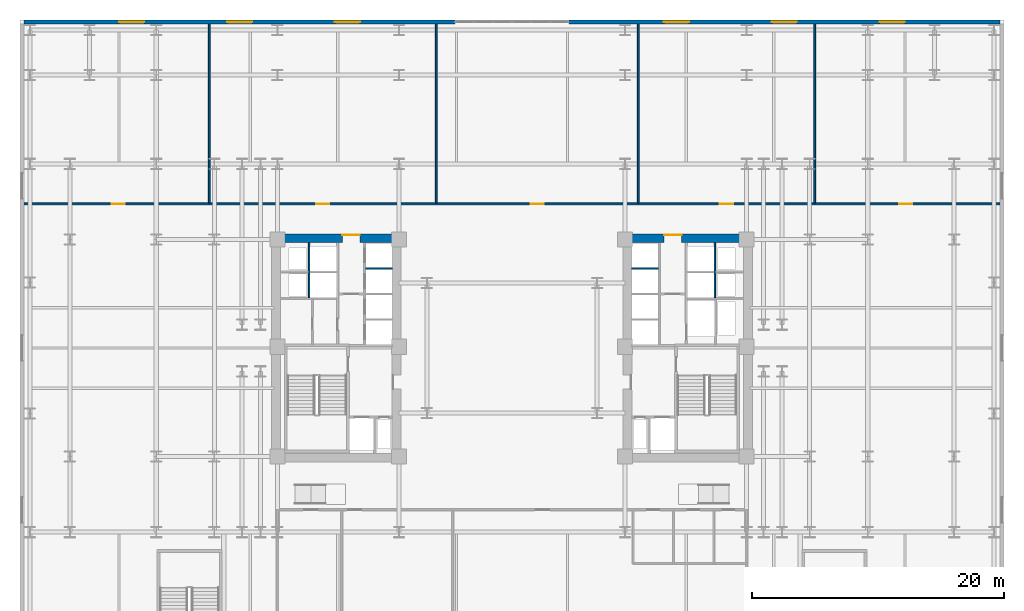
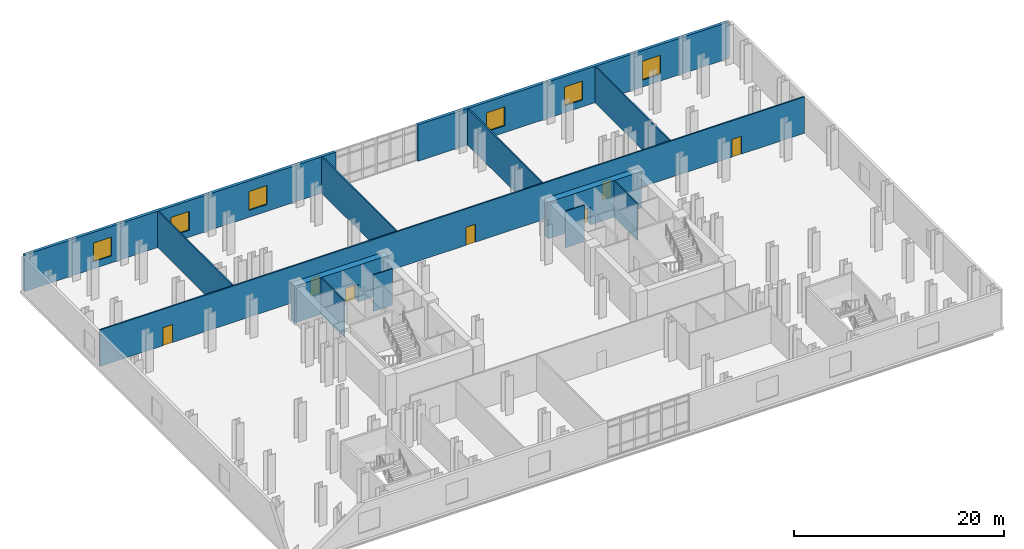
# One storey, part 10 of 13: 13 walls, 7 doors, 6 windows, 13 openings.
"""IFC4 building model written with IfcOpenShell, lengths in metres."""

import ifcopenshell
import ifcopenshell.guid

model = None  # the IFC model being written
_history = None  # IfcOwnerHistory: only IFC2X3 demands one
_inside = {}  # id of a spatial element -> (the spatial element, [elements in it])
_under = {}  # id of a project, library or spatial element -> (it, [spatial elements below it])
_declared = {}  # id of a project -> (the project, [libraries it declares])
_typed = {}  # id of a type object -> (the type object, [elements of that type])
_made_of = {}  # id of a material, layer set ... -> (it, [elements and type objects made of it])


def new_model(schema):
    """Start an empty IFC model of exactly this schema.

    Asked for "IFC4X3", IfcOpenShell would pick the latest addendum, in which some entities
    have other attributes; the version numbers below select the first issue.
    IFC2X3 requires an IfcOwnerHistory on every rooted entity: one is made here for all.
    """
    global model, _history
    if schema == "IFC4X3":
        model = ifcopenshell.file(schema_version=(4, 3, 0, 0))
    else:
        model = ifcopenshell.file(schema=schema)
    _inside.clear()
    _under.clear()
    _declared.clear()
    _typed.clear()
    _made_of.clear()
    _history = None
    if model.schema == "IFC2X3":
        org = make("IfcOrganization", Name="unknown")
        user = make(
            "IfcPersonAndOrganization",
            ThePerson=make("IfcPerson", FamilyName="unknown"),
            TheOrganization=org,
        )
        app = make(
            "IfcApplication",
            ApplicationDeveloper=org,
            Version="unknown",
            ApplicationFullName="unknown",
            ApplicationIdentifier="unknown",
        )
        _history = make(
            "IfcOwnerHistory",
            OwningUser=user,
            OwningApplication=app,
            ChangeAction="ADDED",
            CreationDate=0,
        )
    return model


def make(cls, **values):
    """One entity of the class cls with the attributes given. An attribute that is None is left unset."""
    return model.create_entity(
        cls, **{name: value for name, value in values.items() if value is not None}
    )


def rooted(cls, **values):
    """An entity with a GlobalId (a new one), such as an element, a storey or a relation."""
    return make(cls, GlobalId=ifcopenshell.guid.new(), OwnerHistory=_history, **values)


def si_unit(unit_type, name, prefix=None):
    """IfcSIUnit, for example si_unit("LENGTHUNIT", "METRE", prefix="MILLI")."""
    return make("IfcSIUnit", UnitType=unit_type, Prefix=prefix, Name=name)


def assignment(units):
    """IfcUnitAssignment: the units of a project."""
    return None if units is None else make("IfcUnitAssignment", Units=units)


def point(xyz):
    """IfcCartesianPoint."""
    return None if xyz is None else make("IfcCartesianPoint", Coordinates=xyz)


def direction(xyz):
    """IfcDirection."""
    return None if xyz is None else make("IfcDirection", DirectionRatios=xyz)


def frame(location, z_axis=None, x_axis=None):
    """IfcAxis2Placement3D, a coordinate frame: its origin and axes. An axis left out is left unset."""
    return make(
        "IfcAxis2Placement3D",
        Location=point(location),
        Axis=direction(z_axis),
        RefDirection=direction(x_axis),
    )


def frame_2d(location, x_axis=None):
    """IfcAxis2Placement2D, a coordinate frame in the plane: its origin and x axis."""
    return make(
        "IfcAxis2Placement2D", Location=point(location), RefDirection=direction(x_axis)
    )


def origin():
    """The frame at (0, 0, 0) with its axes left unset."""
    return frame((0.0, 0.0, 0.0))


def place(relative_to, where):
    """IfcLocalPlacement: puts the frame where relative to a parent placement (None: the world)."""
    return make(
        "IfcLocalPlacement", PlacementRelTo=relative_to, RelativePlacement=where
    )


def context(
    kind, dimensions, precision=None, world=None, true_north=None, identifier=None
):
    """IfcGeometricRepresentationContext, for example the 3D "Model" context."""
    return make(
        "IfcGeometricRepresentationContext",
        ContextIdentifier=identifier,
        ContextType=kind,
        CoordinateSpaceDimension=dimensions,
        Precision=precision,
        WorldCoordinateSystem=world,
        TrueNorth=true_north,
    )


def subcontext(parent, identifier, kind, view, scale=None):
    """IfcGeometricRepresentationSubContext, for example "Body" below "Model"."""
    return make(
        "IfcGeometricRepresentationSubContext",
        ContextIdentifier=identifier,
        ContextType=kind,
        ParentContext=parent,
        TargetScale=scale,
        TargetView=view,
    )


def project(units=None, contexts=None):
    """IfcProject with its units and contexts."""
    return rooted(
        "IfcProject",
        Name="project",
        RepresentationContexts=contexts,
        UnitsInContext=assignment(units),
    )


def spatial(cls, under=None, at=None, **own):
    """A site, building, storey or space (cls), placed at a placement, below another one or the project."""
    s = rooted(cls, ObjectPlacement=at, **own)
    if under is not None:
        _under.setdefault(under.id(), (under, []))[1].append(s)
    return s


def profile(cls, at=None, kind="AREA", **sizes):
    """A parametric profile (cls). Its sizes go by their IFC names, for example OverallWidth=200.0."""
    return make(cls, ProfileType=kind, Position=at, **sizes)


def rectangle(**sizes):
    """IfcRectangleProfileDef."""
    return profile("IfcRectangleProfileDef", **sizes)


def extrude(swept, where, along, depth):
    """IfcExtrudedAreaSolid: the profile swept, set in the frame where, extruded along a direction by depth."""
    return make(
        "IfcExtrudedAreaSolid",
        SweptArea=swept,
        Position=where,
        ExtrudedDirection=direction(along),
        Depth=depth,
    )


def shape(context_of_items, identifier, shape_type, items):
    """IfcShapeRepresentation: the items that make up one representation, for example the "Body"."""
    return make(
        "IfcShapeRepresentation",
        ContextOfItems=context_of_items,
        RepresentationIdentifier=identifier,
        RepresentationType=shape_type,
        Items=items,
    )


def material(Name=None, Category=None):
    """IfcMaterial."""
    return make("IfcMaterial", Name=Name, Category=Category)


def layer(
    of_material, thickness, ventilated=None, Name=None, Category=None, Priority=None
):
    """IfcMaterialLayer: one layer of a wall or slab, of a material (None: an air gap)."""
    return make(
        "IfcMaterialLayer",
        Material=of_material,
        LayerThickness=thickness,
        IsVentilated=ventilated,
        Name=Name,
        Category=Category,
        Priority=Priority,
    )


def layer_set(layers, Name=None):
    """IfcMaterialLayerSet."""
    return make("IfcMaterialLayerSet", MaterialLayers=layers, LayerSetName=Name)


def made_of(thing, what):
    """Note that an element or type object is made of a material, layer set ...; save() writes the relation."""
    if what is not None:
        _made_of.setdefault(what.id(), (what, []))[1].append(thing)
    return thing


def type_object(cls, material=None, **own):
    """A type object (cls), such as IfcWallType, which elements share."""
    return made_of(rooted(cls, **own), material)


def element(
    cls,
    number,
    at=None,
    inside=None,
    cuts=None,
    type_object=None,
    material=None,
    context=None,
    identifier="Body",
    shape_type=None,
    held_by="IfcProductDefinitionShape",
    body=None,
    shapes=None,
    **own,
):
    """One element of the class cls, such as IfcWall. Its Tag is "e" and its number.

    at: its placement. inside: the storey or other place that contains it. cuts: it is an
    opening in that element (IfcRelVoidsElement). A single representation is given by context,
    identifier, shape_type and body (its items); several are given by shapes. held_by: the class
    of the entity that holds the representations. save() writes the other relations.
    """
    e = rooted(cls, Tag="e%d" % number, ObjectPlacement=at, **own)
    if body is not None:
        shapes = [shape(context, identifier, shape_type, body)]
    if shapes is not None:
        e.Representation = make(held_by, Representations=shapes)
    if inside is not None:
        _inside.setdefault(inside.id(), (inside, []))[1].append(e)
    if cuts is not None:
        rooted(
            "IfcRelVoidsElement", RelatingBuildingElement=cuts, RelatedOpeningElement=e
        )
    if type_object is not None:
        _typed.setdefault(type_object.id(), (type_object, []))[1].append(e)
    return made_of(e, material)


def fill(opening, filler):
    """IfcRelFillsElement: the door or window that sits in an opening."""
    return rooted(
        "IfcRelFillsElement",
        RelatingOpeningElement=opening,
        RelatedBuildingElement=filler,
    )


def aggregate(whole, parts):
    """IfcRelAggregates: a whole, such as a stair, and the parts it consists of."""
    return rooted("IfcRelAggregates", RelatingObject=whole, RelatedObjects=parts)


def save(model, path):
    """Write the relations noted so far, then the file.

    IfcRelAggregates (storeys below a building ...), IfcRelContainedInSpatialStructure (elements
    in a storey), IfcRelDefinesByType, IfcRelAssociatesMaterial and IfcRelDeclares: one each for
    every whole, place, type object, material and project.
    """
    for whole, parts in _under.values():
        aggregate(whole, parts)
    for where, things in _inside.values():
        rooted(
            "IfcRelContainedInSpatialStructure",
            RelatedElements=things,
            RelatingStructure=where,
        )
    for kind, things in _typed.values():
        rooted("IfcRelDefinesByType", RelatedObjects=things, RelatingType=kind)
    for what, things in _made_of.values():
        rooted("IfcRelAssociatesMaterial", RelatedObjects=things, RelatingMaterial=what)
    for by, libraries in _declared.values():
        rooted("IfcRelDeclares", RelatingContext=by, RelatedDefinitions=libraries)
    model.write(path)


model = new_model("IFC4")

# Units and contexts
model_context = context("Model", 3, precision=1e-05, world=origin(), true_north=direction((0.0, 1.0)))
body_context = subcontext(model_context, "Body", "Model", "MODEL_VIEW")
ifc_project = project(units=[si_unit("LENGTHUNIT", "METRE"), si_unit("AREAUNIT", "SQUARE_METRE"), si_unit("VOLUMEUNIT", "CUBIC_METRE"), si_unit("PLANEANGLEUNIT", "RADIAN"), si_unit("MASSUNIT", "GRAM", prefix="KILO")], contexts=[model_context])

# Site, building, storey
site_placement = place(None, origin())
site = spatial("IfcSite", under=ifc_project, at=site_placement, CompositionType="ELEMENT")
building_placement = place(site_placement, origin())
building = spatial("IfcBuilding", under=site, at=building_placement, Name="Velakula Bourse", CompositionType="ELEMENT")
storey_placement = place(building_placement, frame((0.0, 0.0, 5.10009765625)))
storey = spatial("IfcBuildingStorey", under=building, at=storey_placement, Name="L01", CompositionType="ELEMENT", Elevation=5.10009765625)

# Wall, opening, door
ifc_material_1 = material(Name="Concrete M70 (fck 70 MPa)", Category="concrete")
ifc_layer_1 = layer(ifc_material_1, 0.699951171875, Name="Concrete M70 (fck 70 MPa)", Category="concrete")
ifc_layer_set_1 = layer_set([ifc_layer_1], Name="Concrete M70 (fck 70 MPa)")
wall_type_1 = type_object("IfcWallType", Name="WL-CORE-700", PredefinedType="SHEAR", material=ifc_layer_set_1)
wall_1_placement = place(storey_placement, frame((-19.050048828125, 8.699951171875, 0.0), z_axis=(0.0, 0.0, 1.0), x_axis=(1.0, 0.0, 0.0)))
wall_1 = element("IfcWall", 1, at=wall_1_placement, inside=storey, type_object=wall_type_1, Name="L01 Core W Shear Wall N", PredefinedType="SHEAR", context=body_context, shape_type="SweptSolid", body=[
    extrude(rectangle(XDim=10.25, YDim=0.699951171875, at=frame_2d((5.125, 0.0))), origin(), (0.0, 0.0, 1.0), 4.25),
])
opening_1_placement = place(wall_1_placement, frame((5.60009765625, 0.0, 0.0)))
opening_1 = element("IfcOpeningElement", 2, at=opening_1_placement, cuts=wall_1, Name="Opening D-LLW", PredefinedType="OPENING", context=body_context, shape_type="SweptSolid", body=[
    extrude(rectangle(XDim=1.39990234375, YDim=2.050048828125, at=frame_2d((0.699951171875, 1.02490234375))), frame((0.0, 0.35986328125, 0.0), z_axis=(0.0, -1.0, 0.0), x_axis=(1.0, 0.0, 0.0)), (0.0, 0.0, 1.0), 0.719970703125),
])
ifc_material_2 = material(Name="Fire-rated hardwood flush architectural door", Category="wood")
door_type_1 = type_object("IfcDoorType", Name="DR-DBL-FD60-1400", OperationType="DOUBLE_DOOR_SINGLE_SWING", PredefinedType="DOOR", material=ifc_material_2)
door_1_placement = place(opening_1_placement, origin())
door_1 = element("IfcDoor", 3, at=door_1_placement, inside=storey, type_object=door_type_1, Name="L01 Core W Lift Lobby Corridor Double Door", OperationType="DOUBLE_DOOR_SINGLE_SWING", OverallHeight=2.050048828125, OverallWidth=1.39990234375, PredefinedType="DOOR", context=body_context, shape_type="SweptSolid", body=[
    extrude(rectangle(XDim=1.39990234375, YDim=2.050048828125, at=frame_2d((0.699951171875, 1.02490234375))), frame((0.0, 0.294921875, 0.0), z_axis=(0.0, -1.0, 0.0), x_axis=(1.0, 0.0, 0.0)), (0.0, 0.0, 1.0), 0.050048828125),
])
fill(opening_1, door_1)

wall_2_placement = place(storey_placement, frame((8.800048828125, 8.699951171875, 0.0), z_axis=(0.0, 0.0, 1.0), x_axis=(1.0, 0.0, 0.0)))
wall_2 = element("IfcWall", 4, at=wall_2_placement, inside=storey, type_object=wall_type_1, Name="L01 Core E Shear Wall N", PredefinedType="SHEAR", context=body_context, shape_type="SweptSolid", body=[
    extrude(rectangle(XDim=10.25, YDim=0.699951171875, at=frame_2d((5.125, 0.0))), origin(), (0.0, 0.0, 1.0), 4.25),
])
opening_2_placement = place(wall_2_placement, frame((3.25, 0.0, 0.0)))
opening_2 = element("IfcOpeningElement", 5, at=opening_2_placement, cuts=wall_2, Name="Opening D-LLE", PredefinedType="OPENING", context=body_context, shape_type="SweptSolid", body=[
    extrude(rectangle(XDim=1.39990234375, YDim=2.050048828125, at=frame_2d((0.699951171875, 1.02490234375))), frame((0.0, 0.35986328125, 0.0), z_axis=(0.0, -1.0, 0.0), x_axis=(1.0, 0.0, 0.0)), (0.0, 0.0, 1.0), 0.719970703125),
])
door_2_placement = place(opening_2_placement, origin())
door_2 = element("IfcDoor", 6, at=door_2_placement, inside=storey, type_object=door_type_1, Name="L01 Core E Lift Lobby Corridor Double Door", OperationType="DOUBLE_DOOR_SINGLE_SWING", OverallHeight=2.050048828125, OverallWidth=1.39990234375, PredefinedType="DOOR", context=body_context, shape_type="SweptSolid", body=[
    extrude(rectangle(XDim=1.39990234375, YDim=2.050048828125, at=frame_2d((0.699951171875, 1.02490234375))), frame((0.0, 0.294921875, 0.0), z_axis=(0.0, -1.0, 0.0), x_axis=(1.0, 0.0, 0.0)), (0.0, 0.0, 1.0), 0.050048828125),
])
fill(opening_2, door_2)

# Wall, openings, windows
ifc_material_3 = material(Name="Red kilned clay facing brick masonry", Category="masonry")
ifc_layer_2 = layer(ifc_material_3, 0.320068359375, Name="Red kilned clay facing brick masonry", Category="masonry")
ifc_layer_set_2 = layer_set([ifc_layer_2], Name="Red kilned clay facing brick masonry")
wall_type_2 = type_object("IfcWallType", Name="WL-EXT-BRK-320", PredefinedType="STANDARD", material=ifc_layer_set_2)
wall_3_placement = place(storey_placement, frame((-38.679931640625, 25.840087890625, 0.0), z_axis=(0.0, 0.0, 1.0), x_axis=(1.0, 0.0, 0.0)))
wall_3 = element("IfcWall", 7, at=wall_3_placement, inside=storey, type_object=wall_type_2, Name="L01 North Brick Facade Wall 1", PredefinedType="STANDARD", context=body_context, shape_type="SweptSolid", body=[
    extrude(rectangle(XDim=34.179931640625, YDim=0.320068359375, at=frame_2d((17.08984375, 0.0))), origin(), (0.0, 0.0, 1.0), 4.22998046875),
])
opening_3_placement = place(wall_3_placement, frame((7.544921875, 0.0, 0.800048828125)))
opening_3 = element("IfcOpeningElement", 8, at=opening_3_placement, cuts=wall_3, Name="Opening W-07", PredefinedType="OPENING", context=body_context, shape_type="SweptSolid", body=[
    extrude(rectangle(XDim=2.0, YDim=2.199951171875, at=frame_2d((1.0, 1.10009765625))), frame((0.0, 0.169921875, 0.0), z_axis=(0.0, -1.0, 0.0), x_axis=(1.0, 0.0, 0.0)), (0.0, 0.0, 1.0), 0.340087890625),
])
opening_4_placement = place(wall_3_placement, frame((16.090087890625, 0.0, 0.800048828125)))
opening_4 = element("IfcOpeningElement", 9, at=opening_4_placement, cuts=wall_3, Name="Opening W-07", PredefinedType="OPENING", context=body_context, shape_type="SweptSolid", body=[
    extrude(rectangle(XDim=2.0, YDim=2.199951171875, at=frame_2d((1.0, 1.10009765625))), frame((0.0, 0.169921875, 0.0), z_axis=(0.0, -1.0, 0.0), x_axis=(1.0, 0.0, 0.0)), (0.0, 0.0, 1.0), 0.340087890625),
])
opening_5_placement = place(wall_3_placement, frame((24.635009765625, 0.0, 0.800048828125)))
opening_5 = element("IfcOpeningElement", 10, at=opening_5_placement, cuts=wall_3, Name="Opening W-07", PredefinedType="OPENING", context=body_context, shape_type="SweptSolid", body=[
    extrude(rectangle(XDim=2.0, YDim=2.199951171875, at=frame_2d((1.0, 1.10009765625))), frame((0.0, 0.169921875, 0.0), z_axis=(0.0, -1.0, 0.0), x_axis=(1.0, 0.0, 0.0)), (0.0, 0.0, 1.0), 0.340087890625),
])
ifc_material_4 = material(Name="Double-glazed solar-control Low-E glass", Category="glass")
window_type = type_object("IfcWindowType", Name="WIN-POD-2000x2400", PartitioningType="DOUBLE_PANEL_VERTICAL", PredefinedType="WINDOW", material=ifc_material_4)
window_1_placement = place(opening_3_placement, origin())
window_1 = element("IfcWindow", 11, at=window_1_placement, inside=storey, type_object=window_type, Name="L01 Deep-Set Recessed Window 1", OverallHeight=2.199951171875, OverallWidth=2.0, PartitioningType="DOUBLE_PANEL_VERTICAL", PredefinedType="WINDOW", context=body_context, shape_type="SweptSolid", body=[
    extrude(rectangle(XDim=2.0, YDim=2.199951171875, at=frame_2d((1.0, 1.10009765625))), frame((0.0, 0.030029296875, 0.0), z_axis=(0.0, -1.0, 0.0), x_axis=(1.0, 0.0, 0.0)), (0.0, 0.0, 1.0), 0.06005859375),
])
fill(opening_3, window_1)
window_2_placement = place(opening_4_placement, origin())
window_2 = element("IfcWindow", 12, at=window_2_placement, inside=storey, type_object=window_type, Name="L01 Deep-Set Recessed Window 2", OverallHeight=2.199951171875, OverallWidth=2.0, PartitioningType="DOUBLE_PANEL_VERTICAL", PredefinedType="WINDOW", context=body_context, shape_type="SweptSolid", body=[
    extrude(rectangle(XDim=2.0, YDim=2.199951171875, at=frame_2d((1.0, 1.10009765625))), frame((0.0, 0.030029296875, 0.0), z_axis=(0.0, -1.0, 0.0), x_axis=(1.0, 0.0, 0.0)), (0.0, 0.0, 1.0), 0.06005859375),
])
fill(opening_4, window_2)
window_3_placement = place(opening_5_placement, origin())
window_3 = element("IfcWindow", 13, at=window_3_placement, inside=storey, type_object=window_type, Name="L01 Deep-Set Recessed Window 3", OverallHeight=2.199951171875, OverallWidth=2.0, PartitioningType="DOUBLE_PANEL_VERTICAL", PredefinedType="WINDOW", context=body_context, shape_type="SweptSolid", body=[
    extrude(rectangle(XDim=2.0, YDim=2.199951171875, at=frame_2d((1.0, 1.10009765625))), frame((0.0, 0.030029296875, 0.0), z_axis=(0.0, -1.0, 0.0), x_axis=(1.0, 0.0, 0.0)), (0.0, 0.0, 1.0), 0.06005859375),
])
fill(opening_5, window_3)

wall_4_placement = place(storey_placement, frame((4.5, 25.840087890625, 0.0), z_axis=(0.0, 0.0, 1.0), x_axis=(1.0, 0.0, 0.0)))
wall_4 = element("IfcWall", 14, at=wall_4_placement, inside=storey, type_object=wall_type_2, Name="L01 North Brick Facade Wall 4", PredefinedType="STANDARD", context=body_context, shape_type="SweptSolid", body=[
    extrude(rectangle(XDim=34.179931640625, YDim=0.320068359375, at=frame_2d((17.08984375, 0.0))), origin(), (0.0, 0.0, 1.0), 4.22998046875),
])
opening_6_placement = place(wall_4_placement, frame((7.544921875, 0.0, 0.800048828125)))
opening_6 = element("IfcOpeningElement", 15, at=opening_6_placement, cuts=wall_4, Name="Opening W-07", PredefinedType="OPENING", context=body_context, shape_type="SweptSolid", body=[
    extrude(rectangle(XDim=2.0, YDim=2.199951171875, at=frame_2d((1.0, 1.10009765625))), frame((0.0, 0.169921875, 0.0), z_axis=(0.0, -1.0, 0.0), x_axis=(1.0, 0.0, 0.0)), (0.0, 0.0, 1.0), 0.340087890625),
])
opening_7_placement = place(wall_4_placement, frame((16.090087890625, 0.0, 0.800048828125)))
opening_7 = element("IfcOpeningElement", 16, at=opening_7_placement, cuts=wall_4, Name="Opening W-07", PredefinedType="OPENING", context=body_context, shape_type="SweptSolid", body=[
    extrude(rectangle(XDim=2.0, YDim=2.199951171875, at=frame_2d((1.0, 1.10009765625))), frame((0.0, 0.169921875, 0.0), z_axis=(0.0, -1.0, 0.0), x_axis=(1.0, 0.0, 0.0)), (0.0, 0.0, 1.0), 0.340087890625),
])
opening_8_placement = place(wall_4_placement, frame((24.635009765625, 0.0, 0.800048828125)))
opening_8 = element("IfcOpeningElement", 17, at=opening_8_placement, cuts=wall_4, Name="Opening W-07", PredefinedType="OPENING", context=body_context, shape_type="SweptSolid", body=[
    extrude(rectangle(XDim=2.0, YDim=2.199951171875, at=frame_2d((1.0, 1.10009765625))), frame((0.0, 0.169921875, 0.0), z_axis=(0.0, -1.0, 0.0), x_axis=(1.0, 0.0, 0.0)), (0.0, 0.0, 1.0), 0.340087890625),
])
window_4_placement = place(opening_6_placement, origin())
window_4 = element("IfcWindow", 18, at=window_4_placement, inside=storey, type_object=window_type, Name="L01 Deep-Set Recessed Window 1", OverallHeight=2.199951171875, OverallWidth=2.0, PartitioningType="DOUBLE_PANEL_VERTICAL", PredefinedType="WINDOW", context=body_context, shape_type="SweptSolid", body=[
    extrude(rectangle(XDim=2.0, YDim=2.199951171875, at=frame_2d((1.0, 1.10009765625))), frame((0.0, 0.030029296875, 0.0), z_axis=(0.0, -1.0, 0.0), x_axis=(1.0, 0.0, 0.0)), (0.0, 0.0, 1.0), 0.06005859375),
])
fill(opening_6, window_4)
window_5_placement = place(opening_7_placement, origin())
window_5 = element("IfcWindow", 19, at=window_5_placement, inside=storey, type_object=window_type, Name="L01 Deep-Set Recessed Window 2", OverallHeight=2.199951171875, OverallWidth=2.0, PartitioningType="DOUBLE_PANEL_VERTICAL", PredefinedType="WINDOW", context=body_context, shape_type="SweptSolid", body=[
    extrude(rectangle(XDim=2.0, YDim=2.199951171875, at=frame_2d((1.0, 1.10009765625))), frame((0.0, 0.030029296875, 0.0), z_axis=(0.0, -1.0, 0.0), x_axis=(1.0, 0.0, 0.0)), (0.0, 0.0, 1.0), 0.06005859375),
])
fill(opening_7, window_5)
window_6_placement = place(opening_8_placement, origin())
window_6 = element("IfcWindow", 20, at=window_6_placement, inside=storey, type_object=window_type, Name="L01 Deep-Set Recessed Window 3", OverallHeight=2.199951171875, OverallWidth=2.0, PartitioningType="DOUBLE_PANEL_VERTICAL", PredefinedType="WINDOW", context=body_context, shape_type="SweptSolid", body=[
    extrude(rectangle(XDim=2.0, YDim=2.199951171875, at=frame_2d((1.0, 1.10009765625))), frame((0.0, 0.030029296875, 0.0), z_axis=(0.0, -1.0, 0.0), x_axis=(1.0, 0.0, 0.0)), (0.0, 0.0, 1.0), 0.06005859375),
])
fill(opening_8, window_6)

# Walls
ifc_material_5 = material(Name="Fire-rated double-layer gypsum drywall partition", Category="gypsum")
ifc_layer_3 = layer(ifc_material_5, 0.1201171875, Name="Fire-rated double-layer gypsum drywall partition", Category="gypsum")
ifc_layer_set_3 = layer_set([ifc_layer_3], Name="Fire-rated double-layer gypsum drywall partition")
wall_type_3 = type_object("IfcWallType", Name="WL-PART-120", PredefinedType="STANDARD", material=ifc_layer_set_3)
wall_5_placement = place(storey_placement, frame((-11.60009765625, 6.31494140625, 0.0), z_axis=(0.0, 0.0, 1.0), x_axis=(1.0, 0.0, 0.0)))
element("IfcWall", 21, at=wall_5_placement, inside=storey, type_object=wall_type_3, Name="L01 Interior Partition WL-CRW-L01-BDIV-2", PredefinedType="STANDARD", context=body_context, shape_type="SweptSolid", body=[
    extrude(rectangle(XDim=2.10009765625, YDim=0.110107421875, at=frame_2d((1.050048828125, 0.0))), origin(), (0.0, 0.0, 1.0), 4.22998046875),
])
wall_6_placement = place(storey_placement, frame((-16.074951171875, 3.97998046875, 0.0), z_axis=(0.0, 0.0, 1.0), x_axis=(0.0, 1.0, 0.0)))
element("IfcWall", 22, at=wall_6_placement, inside=storey, type_object=wall_type_3, Name="L01 Interior Partition WL-CRW-L01-RIS-F", PredefinedType="STANDARD", context=body_context, shape_type="SweptSolid", body=[
    extrude(rectangle(XDim=4.3701171875, YDim=0.1201171875, at=frame_2d((2.18505859375, 0.0))), origin(), (0.0, 0.0, 1.0), 4.22998046875),
])
wall_7_placement = place(storey_placement, frame((9.5, 6.31494140625, 0.0), z_axis=(0.0, 0.0, 1.0), x_axis=(1.0, 0.0, 0.0)))
element("IfcWall", 23, at=wall_7_placement, inside=storey, type_object=wall_type_3, Name="L01 Interior Partition WL-CRE-L01-BDIV-2", PredefinedType="STANDARD", context=body_context, shape_type="SweptSolid", body=[
    extrude(rectangle(XDim=2.10009765625, YDim=0.110107421875, at=frame_2d((1.050048828125, 0.0))), origin(), (0.0, 0.0, 1.0), 4.22998046875),
])
wall_8_placement = place(storey_placement, frame((16.074951171875, 3.97998046875, 0.0), z_axis=(0.0, 0.0, 1.0), x_axis=(0.0, 1.0, 0.0)))
element("IfcWall", 24, at=wall_8_placement, inside=storey, type_object=wall_type_3, Name="L01 Interior Partition WL-CRE-L01-RIS-F", PredefinedType="STANDARD", context=body_context, shape_type="SweptSolid", body=[
    extrude(rectangle(XDim=4.3701171875, YDim=0.1201171875, at=frame_2d((2.18505859375, 0.0))), origin(), (0.0, 0.0, 1.0), 4.22998046875),
])

# Wall, openings, doors
ifc_layer_4 = layer(ifc_material_5, 0.139892578125, Name="Fire-rated double-layer gypsum drywall partition", Category="gypsum")
ifc_layer_set_4 = layer_set([ifc_layer_4], Name="Fire-rated double-layer gypsum drywall partition")
wall_type_4 = type_object("IfcWallType", Name="WL-PART-140", PredefinedType="STANDARD", material=ifc_layer_set_4)
wall_9_placement = place(storey_placement, frame((-38.679931640625, 11.419921875, 0.0), z_axis=(0.0, 0.0, 1.0), x_axis=(1.0, 0.0, 0.0)))
wall_9 = element("IfcWall", 25, at=wall_9_placement, inside=storey, type_object=wall_type_4, Name="L01 Interior Partition WL-POD-L01-N-CORR", PredefinedType="STANDARD", context=body_context, shape_type="SweptSolid", body=[
    extrude(rectangle(XDim=77.35986328125, YDim=0.14990234375, at=frame_2d((38.679931640625, 0.0))), origin(), (0.0, 0.0, 1.0), 4.22998046875),
])
opening_9_placement = place(wall_9_placement, frame((6.93603515625, 0.0, 0.0)))
opening_9 = element("IfcOpeningElement", 26, at=opening_9_placement, cuts=wall_9, Name="Opening D-PD1", PredefinedType="OPENING", context=body_context, shape_type="SweptSolid", body=[
    extrude(rectangle(XDim=1.050048828125, YDim=2.080078125, at=frame_2d((0.52490234375, 1.0400390625))), frame((0.0, 0.0849609375, 0.0), z_axis=(0.0, -1.0, 0.0), x_axis=(1.0, 0.0, 0.0)), (0.0, 0.0, 1.0), 0.169921875),
])
opening_10_placement = place(wall_9_placement, frame((23.155029296875, 0.0, 0.0)))
opening_10 = element("IfcOpeningElement", 27, at=opening_10_placement, cuts=wall_9, Name="Opening D-PD1", PredefinedType="OPENING", context=body_context, shape_type="SweptSolid", body=[
    extrude(rectangle(XDim=1.050048828125, YDim=2.080078125, at=frame_2d((0.52490234375, 1.0400390625))), frame((0.0, 0.0849609375, 0.0), z_axis=(0.0, -1.0, 0.0), x_axis=(1.0, 0.0, 0.0)), (0.0, 0.0, 1.0), 0.169921875),
])
opening_11_placement = place(wall_9_placement, frame((40.155029296875, 0.0, 0.0)))
opening_11 = element("IfcOpeningElement", 28, at=opening_11_placement, cuts=wall_9, Name="Opening D-PD1", PredefinedType="OPENING", context=body_context, shape_type="SweptSolid", body=[
    extrude(rectangle(XDim=1.050048828125, YDim=2.080078125, at=frame_2d((0.52490234375, 1.0400390625))), frame((0.0, 0.0849609375, 0.0), z_axis=(0.0, -1.0, 0.0), x_axis=(1.0, 0.0, 0.0)), (0.0, 0.0, 1.0), 0.169921875),
])
opening_12_placement = place(wall_9_placement, frame((55.155029296875, 0.0, 0.0)))
opening_12 = element("IfcOpeningElement", 29, at=opening_12_placement, cuts=wall_9, Name="Opening D-PD1", PredefinedType="OPENING", context=body_context, shape_type="SweptSolid", body=[
    extrude(rectangle(XDim=1.050048828125, YDim=2.080078125, at=frame_2d((0.52490234375, 1.0400390625))), frame((0.0, 0.0849609375, 0.0), z_axis=(0.0, -1.0, 0.0), x_axis=(1.0, 0.0, 0.0)), (0.0, 0.0, 1.0), 0.169921875),
])
opening_13_placement = place(wall_9_placement, frame((69.3740234375, 0.0, 0.0)))
opening_13 = element("IfcOpeningElement", 30, at=opening_13_placement, cuts=wall_9, Name="Opening D-PD1", PredefinedType="OPENING", context=body_context, shape_type="SweptSolid", body=[
    extrude(rectangle(XDim=1.050048828125, YDim=2.080078125, at=frame_2d((0.52490234375, 1.0400390625))), frame((0.0, 0.0849609375, 0.0), z_axis=(0.0, -1.0, 0.0), x_axis=(1.0, 0.0, 0.0)), (0.0, 0.0, 1.0), 0.169921875),
])
door_type_2 = type_object("IfcDoorType", Name="DR-OFF-1050", OperationType="NOTDEFINED", PredefinedType="DOOR", material=ifc_material_2)
door_3_placement = place(opening_9_placement, origin())
door_3 = element("IfcDoor", 31, at=door_3_placement, inside=storey, type_object=door_type_2, Name="L01 Elevated Metro Overbridge Concourse Door", OperationType="SINGLE_SWING_LEFT", OverallHeight=2.080078125, OverallWidth=1.050048828125, PredefinedType="DOOR", context=body_context, shape_type="SweptSolid", body=[
    extrude(rectangle(XDim=1.050048828125, YDim=2.080078125, at=frame_2d((0.52490234375, 1.0400390625))), frame((0.0, 0.02490234375, 0.0), z_axis=(0.0, -1.0, 0.0), x_axis=(1.0, 0.0, 0.0)), (0.0, 0.0, 1.0), 0.050048828125),
])
fill(opening_9, door_3)
door_4_placement = place(opening_10_placement, origin())
door_4 = element("IfcDoor", 32, at=door_4_placement, inside=storey, type_object=door_type_2, Name="L01 Commuter Waiting Lounge Door", OperationType="SINGLE_SWING_RIGHT", OverallHeight=2.080078125, OverallWidth=1.050048828125, PredefinedType="DOOR", context=body_context, shape_type="SweptSolid", body=[
    extrude(rectangle(XDim=1.050048828125, YDim=2.080078125, at=frame_2d((0.52490234375, 1.0400390625))), frame((0.0, 0.02490234375, 0.0), z_axis=(0.0, -1.0, 0.0), x_axis=(1.0, 0.0, 0.0)), (0.0, 0.0, 1.0), 0.050048828125),
])
fill(opening_10, door_4)
door_5_placement = place(opening_11_placement, origin())
door_5 = element("IfcDoor", 33, at=door_5_placement, inside=storey, type_object=door_type_2, Name="L01 Retail Brokerage Kiosk Door", OperationType="SINGLE_SWING_LEFT", OverallHeight=2.080078125, OverallWidth=1.050048828125, PredefinedType="DOOR", context=body_context, shape_type="SweptSolid", body=[
    extrude(rectangle(XDim=1.050048828125, YDim=2.080078125, at=frame_2d((0.52490234375, 1.0400390625))), frame((0.0, 0.02490234375, 0.0), z_axis=(0.0, -1.0, 0.0), x_axis=(1.0, 0.0, 0.0)), (0.0, 0.0, 1.0), 0.050048828125),
])
fill(opening_11, door_5)
door_6_placement = place(opening_12_placement, origin())
door_6 = element("IfcDoor", 34, at=door_6_placement, inside=storey, type_object=door_type_2, Name="L01 Station Staff Pantry Door", OperationType="SINGLE_SWING_RIGHT", OverallHeight=2.080078125, OverallWidth=1.050048828125, PredefinedType="DOOR", context=body_context, shape_type="SweptSolid", body=[
    extrude(rectangle(XDim=1.050048828125, YDim=2.080078125, at=frame_2d((0.52490234375, 1.0400390625))), frame((0.0, 0.02490234375, 0.0), z_axis=(0.0, -1.0, 0.0), x_axis=(1.0, 0.0, 0.0)), (0.0, 0.0, 1.0), 0.050048828125),
])
fill(opening_12, door_6)
door_7_placement = place(opening_13_placement, origin())
door_7 = element("IfcDoor", 35, at=door_7_placement, inside=storey, type_object=door_type_2, Name="L01 Transit Briefing Room Door", OperationType="SINGLE_SWING_LEFT", OverallHeight=2.080078125, OverallWidth=1.050048828125, PredefinedType="DOOR", context=body_context, shape_type="SweptSolid", body=[
    extrude(rectangle(XDim=1.050048828125, YDim=2.080078125, at=frame_2d((0.52490234375, 1.0400390625))), frame((0.0, 0.02490234375, 0.0), z_axis=(0.0, -1.0, 0.0), x_axis=(1.0, 0.0, 0.0)), (0.0, 0.0, 1.0), 0.050048828125),
])
fill(opening_13, door_7)

# Walls
for number, where, z_axis, x_axis, name in (
    (36, (-24.0, 11.489990234375, 0.0), (0.0, 0.0, 1.0), (0.0, 1.0, 0.0), "L01 Interior Partition WL-POD-L01-ND1"),
    (37, (-6.0, 11.489990234375, 0.0), (0.0, 0.0, 1.0), (0.0, 1.0, 0.0), "L01 Interior Partition WL-POD-L01-ND2"),
    (38, (10.0, 11.489990234375, 0.0), (0.0, 0.0, 1.0), (0.0, 1.0, 0.0), "L01 Interior Partition WL-POD-L01-ND3"),
    (39, (24.0, 11.489990234375, 0.0), (0.0, 0.0, 1.0), (0.0, 1.0, 0.0), "L01 Interior Partition WL-POD-L01-ND4"),
):
    element("IfcWall", number, at=place(storey_placement, frame(where, z_axis=z_axis, x_axis=x_axis)), inside=storey, type_object=wall_type_4, Name=name, PredefinedType="STANDARD", context=body_context, shape_type="SweptSolid", body=[
        extrude(rectangle(XDim=14.18994140625, YDim=0.139892578125, at=frame_2d((7.094970703125, 0.0))), origin(), (0.0, 0.0, 1.0), 4.22998046875),
    ])

save(model, "model.ifc")
